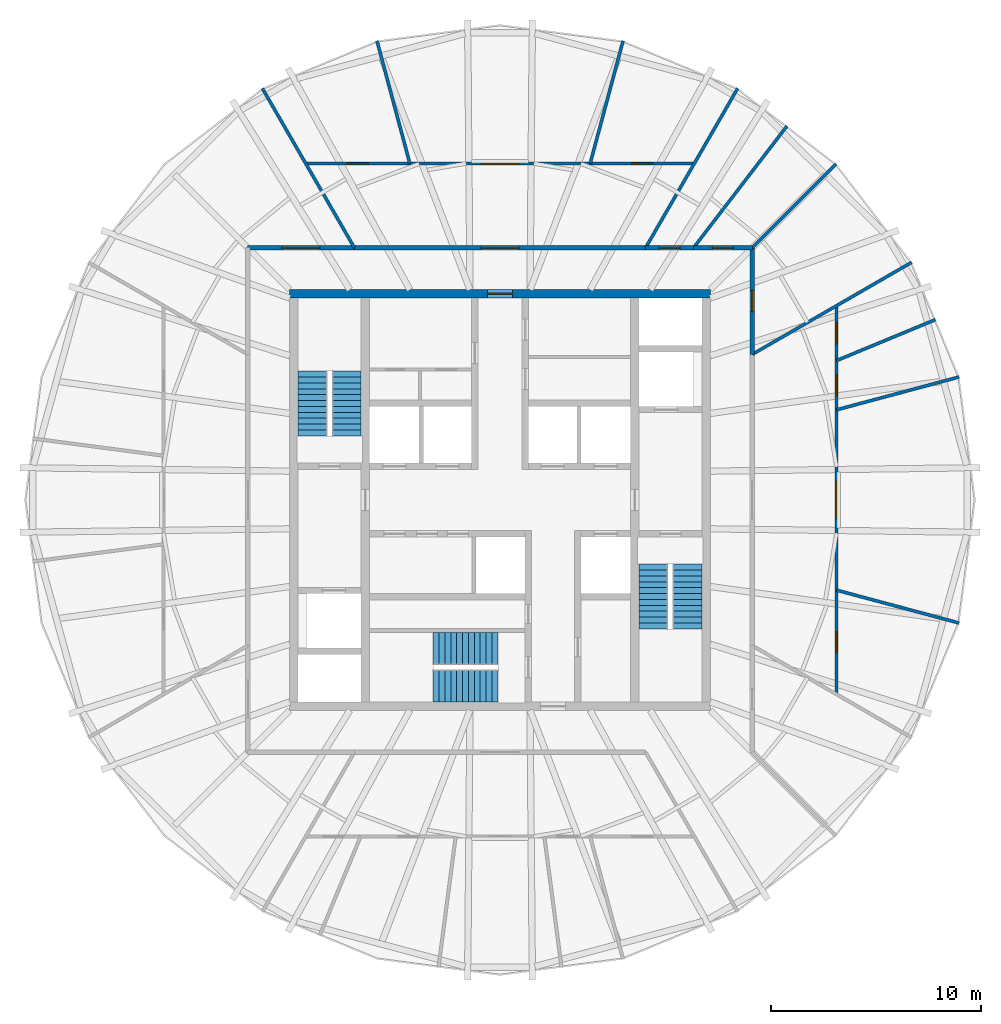
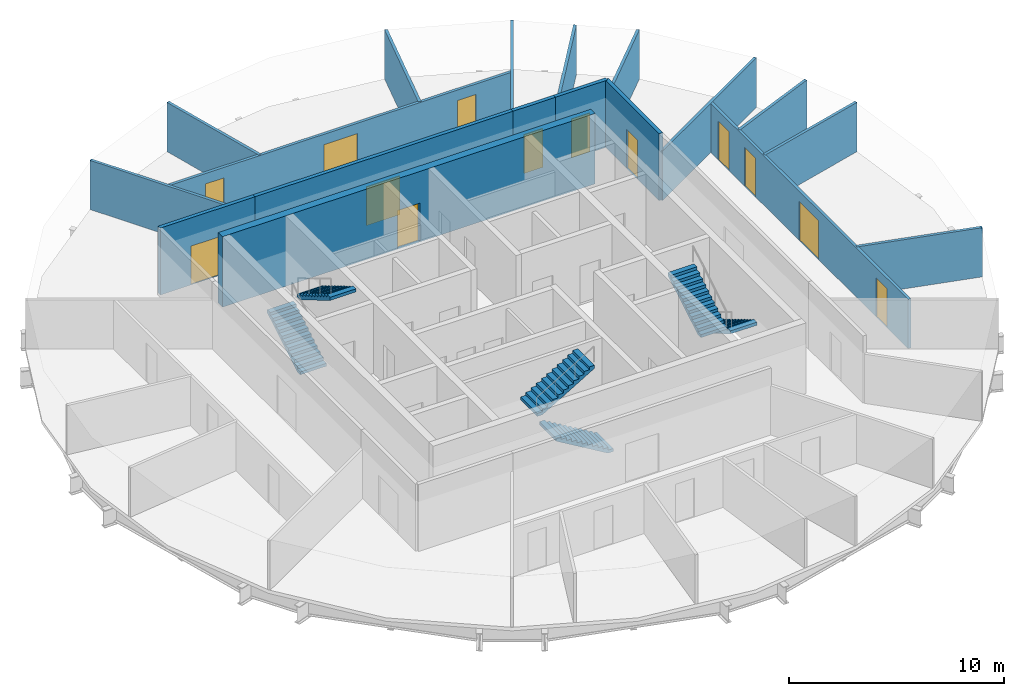
# One storey, part 5 of 6: 18 walls, 13 doors, 6 stair flights, 13 openings, 3 elements without a shape of their own.
"""IFC4 building model written with IfcOpenShell, lengths in metres."""

from ifc_helpers import new_model, si_unit, direction, frame, frame_2d, origin, place, context, subcontext, project, spatial, polyline, rectangle, outline, extrude, material, layer, layer_set, type_object, element, fill, aggregate, save


model = new_model("IFC4")

# Units and contexts
model_context = context("Model", 3, precision=1e-05, world=origin(), true_north=direction((0.0, 1.0)))
body_context = subcontext(model_context, "Body", "Model", "MODEL_VIEW")
ifc_project = project(units=[si_unit("LENGTHUNIT", "METRE"), si_unit("AREAUNIT", "SQUARE_METRE"), si_unit("VOLUMEUNIT", "CUBIC_METRE"), si_unit("PLANEANGLEUNIT", "RADIAN"), si_unit("MASSUNIT", "GRAM", prefix="KILO")], contexts=[model_context])

# Site, building, storey
site_placement = place(None, origin())
site = spatial("IfcSite", under=ifc_project, at=site_placement, CompositionType="ELEMENT")
building_placement = place(site_placement, origin())
building = spatial("IfcBuilding", under=site, at=building_placement, Name="Golbaran Civic Tower", CompositionType="ELEMENT")
storey_placement = place(building_placement, frame((0.0, 0.0, 244.0)))
storey = spatial("IfcBuildingStorey", under=building, at=storey_placement, Name="L59", CompositionType="ELEMENT", Elevation=244.0)

# Wall, opening, door
ifc_material_1 = material(Name="Concrete C50/60", Category="concrete")
ifc_layer_1 = layer(ifc_material_1, 0.39990234375, Name="Concrete C50/60")
ifc_layer_set_1 = layer_set([ifc_layer_1], Name="Concrete C50/60")
wall_type_1 = type_object("IfcWallType", Name="CORE WALL CONCRETE 400", PredefinedType="SOLIDWALL", material=ifc_layer_set_1)
wall_1_placement = place(storey_placement, frame((-10.0, 9.800048828125, 0.0), z_axis=(0.0, 0.0, 1.0), x_axis=(1.0, 0.0, 0.0)))
wall_1 = element("IfcWall", 1, at=wall_1_placement, inside=storey, type_object=wall_type_1, Name="Core wall CN L59", PredefinedType="SOLIDWALL", context=body_context, shape_type="SweptSolid", body=[
    extrude(rectangle(XDim=20.0, YDim=0.39990234375, at=frame_2d((10.0, 0.0))), origin(), (0.0, 0.0, 1.0), 4.0),
])
opening_1_placement = place(wall_1_placement, frame((9.39990234375, 0.0, 0.0)))
opening_1 = element("IfcOpeningElement", 2, at=opening_1_placement, cuts=wall_1, Name="Opening L59.CN", PredefinedType="OPENING", context=body_context, shape_type="SweptSolid", body=[
    extrude(rectangle(XDim=1.199951171875, YDim=2.199951171875, at=frame_2d((0.60009765625, 1.10009765625))), frame((0.0, 0.2099609375, 0.0), z_axis=(0.0, -1.0, 0.0), x_axis=(1.0, 0.0, 0.0)), (0.0, 0.0, 1.0), 0.419921875),
])
ifc_material_2 = material(Name="Timber door set in steel frame", Category="steel")
door_type_1 = type_object("IfcDoorType", Name="CORE DOOR 1200x2200", OperationType="DOUBLE_DOOR_SINGLE_SWING", PredefinedType="DOOR", material=ifc_material_2)
door_1_placement = place(opening_1_placement, origin())
door_1 = element("IfcDoor", 3, at=door_1_placement, inside=storey, type_object=door_type_1, Name="Core door north", OperationType="DOUBLE_DOOR_SINGLE_SWING", OverallHeight=2.199951171875, OverallWidth=1.199951171875, PredefinedType="DOOR", context=body_context, shape_type="SweptSolid", body=[
    extrude(rectangle(XDim=1.199951171875, YDim=2.199951171875, at=frame_2d((0.60009765625, 1.10009765625))), frame((0.0, 0.02490234375, 0.0), z_axis=(0.0, -1.0, 0.0), x_axis=(1.0, 0.0, 0.0)), (0.0, 0.0, 1.0), 0.050048828125),
])
fill(opening_1, door_1)

ifc_material_3 = material(Name="Gypsum board on steel studs, fire-rated", Category="steel")
ifc_layer_2 = layer(ifc_material_3, 0.199951171875, Name="Gypsum board on steel studs, fire-rated")
ifc_layer_set_2 = layer_set([ifc_layer_2], Name="Gypsum board on steel studs, fire-rated")
wall_type_2 = type_object("IfcWallType", Name="CORRIDOR WALL 200", PredefinedType="PARTITIONING", material=ifc_layer_set_2)
wall_2_placement = place(storey_placement, frame((12.0, 6.92822265625, 0.0), z_axis=(0.0, 0.0, 1.0), x_axis=(0.0, 1.0, 0.0)))
wall_2 = element("IfcWall", 4, at=wall_2_placement, inside=storey, type_object=wall_type_2, Name="Corridor wall L59", PredefinedType="PARTITIONING", context=body_context, shape_type="SweptSolid", body=[
    extrude(rectangle(XDim=5.07177734375, YDim=0.199951171875, at=frame_2d((2.535888671875, 0.0))), origin(), (0.0, 0.0, 1.0), 3.800048828125),
])
opening_2_placement = place(wall_2_placement, frame((2.035888671875, 0.0, 0.0)))
opening_2 = element("IfcOpeningElement", 5, at=opening_2_placement, cuts=wall_2, Name="Opening L59.17", PredefinedType="OPENING", context=body_context, shape_type="SweptSolid", body=[
    extrude(rectangle(XDim=1.0, YDim=2.199951171875, at=frame_2d((0.5, 1.10009765625))), frame((0.0, 0.10986328125, 0.0), z_axis=(0.0, -1.0, 0.0), x_axis=(1.0, 0.0, 0.0)), (0.0, 0.0, 1.0), 0.219970703125),
])
door_type_2 = type_object("IfcDoorType", Name="OFFICE DOOR 1000x2200", OperationType="SINGLE_SWING_LEFT", PredefinedType="DOOR", material=ifc_material_2)
door_2_placement = place(opening_2_placement, origin())
door_2 = element("IfcDoor", 6, at=door_2_placement, inside=storey, type_object=door_type_2, Name="Pantry door L59", OperationType="SINGLE_SWING_LEFT", OverallHeight=2.199951171875, OverallWidth=1.0, PredefinedType="DOOR", context=body_context, shape_type="SweptSolid", body=[
    extrude(rectangle(XDim=1.0, YDim=2.199951171875, at=frame_2d((0.5, 1.10009765625))), frame((0.0, 0.02490234375, 0.0), z_axis=(0.0, -1.0, 0.0), x_axis=(1.0, 0.0, 0.0)), (0.0, 0.0, 1.0), 0.050048828125),
])
fill(opening_2, door_2)

wall_3_placement = place(storey_placement, frame((12.0, 12.0, 0.0), z_axis=(0.0, 0.0, 1.0), x_axis=(-1.0, 0.0, 0.0)))
wall_3 = element("IfcWall", 7, at=wall_3_placement, inside=storey, type_object=wall_type_2, Name="Corridor wall L59", PredefinedType="PARTITIONING", context=body_context, shape_type="SweptSolid", body=[
    extrude(rectangle(XDim=2.7919921875, YDim=0.199951171875, at=frame_2d((1.39599609375, 0.0))), origin(), (0.0, 0.0, 1.0), 3.800048828125),
])
opening_3_placement = place(wall_3_placement, frame((0.89599609375, 0.0, 0.0)))
opening_3 = element("IfcOpeningElement", 8, at=opening_3_placement, cuts=wall_3, Name="Opening L59.18", PredefinedType="OPENING", context=body_context, shape_type="SweptSolid", body=[
    extrude(rectangle(XDim=1.0, YDim=2.199951171875, at=frame_2d((0.5, 1.10009765625))), frame((0.0, 0.10986328125, 0.0), z_axis=(0.0, -1.0, 0.0), x_axis=(1.0, 0.0, 0.0)), (0.0, 0.0, 1.0), 0.219970703125),
])
door_3_placement = place(opening_3_placement, origin())
door_3 = element("IfcDoor", 9, at=door_3_placement, inside=storey, type_object=door_type_2, Name="Prayer Room door L59", OperationType="SINGLE_SWING_RIGHT", OverallHeight=2.199951171875, OverallWidth=1.0, PredefinedType="DOOR", context=body_context, shape_type="SweptSolid", body=[
    extrude(rectangle(XDim=1.0, YDim=2.199951171875, at=frame_2d((0.5, 1.10009765625))), frame((0.0, 0.02490234375, 0.0), z_axis=(0.0, -1.0, 0.0), x_axis=(1.0, 0.0, 0.0)), (0.0, 0.0, 1.0), 0.050048828125),
])
fill(opening_3, door_3)

wall_4_placement = place(storey_placement, frame((9.2080078125, 12.0, 0.0), z_axis=(0.0, 0.0, 1.0), x_axis=(-1.0, 0.0, 0.0)))
wall_4 = element("IfcWall", 10, at=wall_4_placement, inside=storey, type_object=wall_type_2, Name="Corridor wall L59", PredefinedType="PARTITIONING", context=body_context, shape_type="SweptSolid", body=[
    extrude(rectangle(XDim=2.27978515625, YDim=0.199951171875, at=frame_2d((1.139892578125, 0.0))), origin(), (0.0, 0.0, 1.0), 3.800048828125),
])
opening_4_placement = place(wall_4_placement, frame((0.639892578125, 0.0, 0.0)))
opening_4 = element("IfcOpeningElement", 11, at=opening_4_placement, cuts=wall_4, Name="Opening L59.19", PredefinedType="OPENING", context=body_context, shape_type="SweptSolid", body=[
    extrude(rectangle(XDim=1.0, YDim=2.199951171875, at=frame_2d((0.5, 1.10009765625))), frame((0.0, 0.10986328125, 0.0), z_axis=(0.0, -1.0, 0.0), x_axis=(1.0, 0.0, 0.0)), (0.0, 0.0, 1.0), 0.219970703125),
])
door_4_placement = place(opening_4_placement, origin())
door_4 = element("IfcDoor", 12, at=door_4_placement, inside=storey, type_object=door_type_2, Name="Store door L59", OperationType="SINGLE_SWING_RIGHT", OverallHeight=2.199951171875, OverallWidth=1.0, PredefinedType="DOOR", context=body_context, shape_type="SweptSolid", body=[
    extrude(rectangle(XDim=1.0, YDim=2.199951171875, at=frame_2d((0.5, 1.10009765625))), frame((0.0, 0.02490234375, 0.0), z_axis=(0.0, -1.0, 0.0), x_axis=(1.0, 0.0, 0.0)), (0.0, 0.0, 1.0), 0.050048828125),
])
fill(opening_4, door_4)

wall_5_placement = place(storey_placement, frame((6.92822265625, 12.0, 0.0), z_axis=(0.0, 0.0, 1.0), x_axis=(-1.0, 0.0, 0.0)))
wall_5 = element("IfcWall", 13, at=wall_5_placement, inside=storey, type_object=wall_type_2, Name="Corridor wall L59", PredefinedType="PARTITIONING", context=body_context, shape_type="SweptSolid", body=[
    extrude(rectangle(XDim=13.8564453125, YDim=0.199951171875, at=frame_2d((6.92822265625, 0.0))), origin(), (0.0, 0.0, 1.0), 3.800048828125),
])
opening_5_placement = place(wall_5_placement, frame((6.0283203125, 0.0, 0.0)))
opening_5 = element("IfcOpeningElement", 14, at=opening_5_placement, cuts=wall_5, Name="Opening L59.20", PredefinedType="OPENING", context=body_context, shape_type="SweptSolid", body=[
    extrude(rectangle(XDim=1.800048828125, YDim=2.199951171875, at=frame_2d((0.89990234375, 1.10009765625))), frame((0.0, 0.10986328125, 0.0), z_axis=(0.0, -1.0, 0.0), x_axis=(1.0, 0.0, 0.0)), (0.0, 0.0, 1.0), 0.219970703125),
])
door_type_3 = type_object("IfcDoorType", Name="OFFICE DOUBLE DOOR 1800x2200", OperationType="DOUBLE_DOOR_SINGLE_SWING", PredefinedType="DOOR", material=ifc_material_2)
door_5_placement = place(opening_5_placement, origin())
door_5 = element("IfcDoor", 15, at=door_5_placement, inside=storey, type_object=door_type_3, Name="Reception door L59", OperationType="DOUBLE_DOOR_SINGLE_SWING", OverallHeight=2.199951171875, OverallWidth=1.800048828125, PredefinedType="DOOR", context=body_context, shape_type="SweptSolid", body=[
    extrude(rectangle(XDim=1.800048828125, YDim=2.199951171875, at=frame_2d((0.89990234375, 1.10009765625))), frame((0.0, 0.02490234375, 0.0), z_axis=(0.0, -1.0, 0.0), x_axis=(1.0, 0.0, 0.0)), (0.0, 0.0, 1.0), 0.050048828125),
])
fill(opening_5, door_5)

wall_6_placement = place(storey_placement, frame((-6.92822265625, 12.0, 0.0), z_axis=(0.0, 0.0, 1.0), x_axis=(-1.0, 0.0, 0.0)))
wall_6 = element("IfcWall", 16, at=wall_6_placement, inside=storey, type_object=wall_type_2, Name="Corridor wall L59", PredefinedType="PARTITIONING", context=body_context, shape_type="SweptSolid", body=[
    extrude(rectangle(XDim=5.07177734375, YDim=0.199951171875, at=frame_2d((2.535888671875, 0.0))), origin(), (0.0, 0.0, 1.0), 3.800048828125),
])
opening_6_placement = place(wall_6_placement, frame((1.635986328125, 0.0, 0.0)))
opening_6 = element("IfcOpeningElement", 17, at=opening_6_placement, cuts=wall_6, Name="Opening L59.21", PredefinedType="OPENING", context=body_context, shape_type="SweptSolid", body=[
    extrude(rectangle(XDim=1.800048828125, YDim=2.199951171875, at=frame_2d((0.89990234375, 1.10009765625))), frame((0.0, 0.10986328125, 0.0), z_axis=(0.0, -1.0, 0.0), x_axis=(1.0, 0.0, 0.0)), (0.0, 0.0, 1.0), 0.219970703125),
])
door_6_placement = place(opening_6_placement, origin())
door_6 = element("IfcDoor", 18, at=door_6_placement, inside=storey, type_object=door_type_3, Name="Open Office door L59", OperationType="DOUBLE_DOOR_SINGLE_SWING", OverallHeight=2.199951171875, OverallWidth=1.800048828125, PredefinedType="DOOR", context=body_context, shape_type="SweptSolid", body=[
    extrude(rectangle(XDim=1.800048828125, YDim=2.199951171875, at=frame_2d((0.89990234375, 1.10009765625))), frame((0.0, 0.02490234375, 0.0), z_axis=(0.0, -1.0, 0.0), x_axis=(1.0, 0.0, 0.0)), (0.0, 0.0, 1.0), 0.050048828125),
])
fill(opening_6, door_6)

# Walls
ifc_material_4 = material(Name="Gypsum board on steel studs", Category="steel")
ifc_layer_3 = layer(ifc_material_4, 0.14990234375, Name="Gypsum board on steel studs")
ifc_layer_set_3 = layer_set([ifc_layer_3], Name="Gypsum board on steel studs")
wall_type_3 = type_object("IfcWallType", Name="OFFICE PARTITION 150", PredefinedType="PARTITIONING", material=ifc_layer_set_3)
wall_7_placement = place(storey_placement, frame((12.0, 6.92822265625, 0.0), z_axis=(0.0, 0.0, 1.0), x_axis=(0.866020224182, 0.500008971228, 0.0)))
element("IfcWall", 19, at=wall_7_placement, inside=storey, type_object=wall_type_3, Name="Partition 30 L59", PredefinedType="PARTITIONING", context=body_context, shape_type="SweptSolid", body=[
    extrude(rectangle(XDim=8.752685546875, YDim=0.14990234375, at=frame_2d((4.37646484375, 0.0))), origin(), (0.0, 0.0, 1.0), 2.7900390625),
])
wall_8_placement = place(storey_placement, frame((12.0, 12.0, 0.0), z_axis=(0.0, 0.0, 1.0), x_axis=(0.707106781187, 0.707106781187, 0.0)))
element("IfcWall", 20, at=wall_8_placement, inside=storey, type_object=wall_type_3, Name="Partition 45 L59", PredefinedType="PARTITIONING", context=body_context, shape_type="SweptSolid", body=[
    extrude(rectangle(XDim=5.638671875, YDim=0.14990234375, at=frame_2d((2.8193359375, 0.0))), origin(), (0.0, 0.0, 1.0), 2.7900390625),
])
wall_9_placement = place(storey_placement, frame((9.2080078125, 12.0, 0.0), z_axis=(0.0, 0.0, 1.0), x_axis=(0.608740848729, 0.793369131671, 0.0)))
element("IfcWall", 21, at=wall_9_placement, inside=storey, type_object=wall_type_3, Name="Partition 52.5 L59", PredefinedType="PARTITIONING", context=body_context, shape_type="SweptSolid", body=[
    extrude(rectangle(XDim=7.2900390625, YDim=0.14990234375, at=frame_2d((3.64501953125, 0.0))), origin(), (0.0, 0.0, 1.0), 2.7900390625),
])
for number, where, z_axis, x_axis, name in (
    (22, (6.92822265625, 12.0, 0.0), (0.0, 0.0, 1.0), (0.500008971228, 0.866020224182, 0.0), "Partition 60 L59"),
    (23, (-6.92822265625, 12.0, 0.0), (0.0, 0.0, 1.0), (-0.500008971228, 0.866020224182, 0.0), "Partition 120 L59"),
):
    element("IfcWall", number, at=place(storey_placement, frame(where, z_axis=z_axis, x_axis=x_axis)), inside=storey, type_object=wall_type_3, Name=name, PredefinedType="PARTITIONING", context=body_context, shape_type="SweptSolid", body=[
        extrude(rectangle(XDim=8.752685546875, YDim=0.14990234375, at=frame_2d((4.37646484375, 0.0))), origin(), (0.0, 0.0, 1.0), 2.7900390625),
    ])

# Wall, openings, doors
wall_10_placement = place(storey_placement, frame((16.0, -9.237548828125, 0.0), z_axis=(0.0, 0.0, 1.0), x_axis=(0.0, 1.0, 0.0)))
wall_10 = element("IfcWall", 24, at=wall_10_placement, inside=storey, type_object=wall_type_3, Name="Suite partition L59", PredefinedType="PARTITIONING", context=body_context, shape_type="SweptSolid", body=[
    extrude(rectangle(XDim=18.47509765625, YDim=0.14990234375, at=frame_2d((9.237548828125, 0.0))), origin(), (0.0, 0.0, 1.0), 2.7900390625),
])
opening_7_placement = place(wall_10_placement, frame((1.97509765625, 0.0, 0.0)))
opening_7 = element("IfcOpeningElement", 25, at=opening_7_placement, cuts=wall_10, Name="Opening L59.01", PredefinedType="OPENING", context=body_context, shape_type="SweptSolid", body=[
    extrude(rectangle(XDim=1.0, YDim=2.199951171875, at=frame_2d((0.5, 1.10009765625))), frame((0.0, 0.0849609375, 0.0), z_axis=(0.0, -1.0, 0.0), x_axis=(1.0, 0.0, 0.0)), (0.0, 0.0, 1.0), 0.169921875),
])
opening_8_placement = place(wall_10_placement, frame((8.337646484375, 0.0, 0.0)))
opening_8 = element("IfcOpeningElement", 26, at=opening_8_placement, cuts=wall_10, Name="Opening L59.02", PredefinedType="OPENING", context=body_context, shape_type="SweptSolid", body=[
    extrude(rectangle(XDim=1.800048828125, YDim=2.199951171875, at=frame_2d((0.89990234375, 1.10009765625))), frame((0.0, 0.0849609375, 0.0), z_axis=(0.0, -1.0, 0.0), x_axis=(1.0, 0.0, 0.0)), (0.0, 0.0, 1.0), 0.169921875),
])
opening_9_placement = place(wall_10_placement, frame((14.19482421875, 0.0, 0.0)))
opening_9 = element("IfcOpeningElement", 27, at=opening_9_placement, cuts=wall_10, Name="Opening L59.03", PredefinedType="OPENING", context=body_context, shape_type="SweptSolid", body=[
    extrude(rectangle(XDim=1.0, YDim=2.199951171875, at=frame_2d((0.5, 1.10009765625))), frame((0.0, 0.0849609375, 0.0), z_axis=(0.0, -1.0, 0.0), x_axis=(1.0, 0.0, 0.0)), (0.0, 0.0, 1.0), 0.169921875),
])
opening_10_placement = place(wall_10_placement, frame((16.670166015625, 0.0, 0.0)))
opening_10 = element("IfcOpeningElement", 28, at=opening_10_placement, cuts=wall_10, Name="Opening L59.04", PredefinedType="OPENING", context=body_context, shape_type="SweptSolid", body=[
    extrude(rectangle(XDim=1.0, YDim=2.199951171875, at=frame_2d((0.5, 1.10009765625))), frame((0.0, 0.0849609375, 0.0), z_axis=(0.0, -1.0, 0.0), x_axis=(1.0, 0.0, 0.0)), (0.0, 0.0, 1.0), 0.169921875),
])
door_7_placement = place(opening_7_placement, origin())
door_7 = element("IfcDoor", 29, at=door_7_placement, inside=storey, type_object=door_type_2, Name="Director's Office door L59", OperationType="SINGLE_SWING_LEFT", OverallHeight=2.199951171875, OverallWidth=1.0, PredefinedType="DOOR", context=body_context, shape_type="SweptSolid", body=[
    extrude(rectangle(XDim=1.0, YDim=2.199951171875, at=frame_2d((0.5, 1.10009765625))), frame((0.0, 0.02490234375, 0.0), z_axis=(0.0, -1.0, 0.0), x_axis=(1.0, 0.0, 0.0)), (0.0, 0.0, 1.0), 0.050048828125),
])
fill(opening_7, door_7)
door_8_placement = place(opening_9_placement, origin())
door_8 = element("IfcDoor", 30, at=door_8_placement, inside=storey, type_object=door_type_2, Name="Office door L59", OperationType="SINGLE_SWING_RIGHT", OverallHeight=2.199951171875, OverallWidth=1.0, PredefinedType="DOOR", context=body_context, shape_type="SweptSolid", body=[
    extrude(rectangle(XDim=1.0, YDim=2.199951171875, at=frame_2d((0.5, 1.10009765625))), frame((0.0, 0.02490234375, 0.0), z_axis=(0.0, -1.0, 0.0), x_axis=(1.0, 0.0, 0.0)), (0.0, 0.0, 1.0), 0.050048828125),
])
fill(opening_9, door_8)
door_9_placement = place(opening_10_placement, origin())
door_9 = element("IfcDoor", 31, at=door_9_placement, inside=storey, type_object=door_type_2, Name="Office door L59", OperationType="SINGLE_SWING_RIGHT", OverallHeight=2.199951171875, OverallWidth=1.0, PredefinedType="DOOR", context=body_context, shape_type="SweptSolid", body=[
    extrude(rectangle(XDim=1.0, YDim=2.199951171875, at=frame_2d((0.5, 1.10009765625))), frame((0.0, 0.02490234375, 0.0), z_axis=(0.0, -1.0, 0.0), x_axis=(1.0, 0.0, 0.0)), (0.0, 0.0, 1.0), 0.050048828125),
])
fill(opening_10, door_9)
door_10_placement = place(opening_8_placement, origin())
door_10 = element("IfcDoor", 32, at=door_10_placement, inside=storey, type_object=door_type_3, Name="Director's Office door L59", OperationType="DOUBLE_DOOR_SINGLE_SWING", OverallHeight=2.199951171875, OverallWidth=1.800048828125, PredefinedType="DOOR", context=body_context, shape_type="SweptSolid", body=[
    extrude(rectangle(XDim=1.800048828125, YDim=2.199951171875, at=frame_2d((0.89990234375, 1.10009765625))), frame((0.0, 0.02490234375, 0.0), z_axis=(0.0, -1.0, 0.0), x_axis=(1.0, 0.0, 0.0)), (0.0, 0.0, 1.0), 0.050048828125),
])
fill(opening_8, door_10)

# Walls
for number, where, z_axis, x_axis, name in (
    (33, (16.0, -4.287109375, 0.0), (0.0, 0.0, 1.0), (0.965918484239, -0.258846444451, 0.0), "Partition 345 L59"),
    (34, (16.0, 4.287109375, 0.0), (0.0, 0.0, 1.0), (0.965918484239, 0.258846444451, 0.0), "Partition 15 L59"),
):
    element("IfcWall", number, at=place(storey_placement, frame(where, z_axis=z_axis, x_axis=x_axis)), inside=storey, type_object=wall_type_3, Name=name, PredefinedType="PARTITIONING", context=body_context, shape_type="SweptSolid", body=[
        extrude(rectangle(XDim=6.044921875, YDim=0.14990234375, at=frame_2d((3.0224609375, 0.0))), origin(), (0.0, 0.0, 1.0), 2.7900390625),
    ])
wall_11_placement = place(storey_placement, frame((16.0, 6.62744140625, 0.0), z_axis=(0.0, 0.0, 1.0), x_axis=(0.923882573996, 0.382676089488, 0.0)))
element("IfcWall", 35, at=wall_11_placement, inside=storey, type_object=wall_type_3, Name="Partition 22.5 L59", PredefinedType="PARTITIONING", context=body_context, shape_type="SweptSolid", body=[
    extrude(rectangle(XDim=5.097412109375, YDim=0.14990234375, at=frame_2d((2.548828125, 0.0))), origin(), (0.0, 0.0, 1.0), 2.7900390625),
])

# Wall, openings, doors
wall_12_placement = place(storey_placement, frame((9.237548828125, 16.0, 0.0), z_axis=(0.0, 0.0, 1.0), x_axis=(-1.0, 0.0, 0.0)))
wall_12 = element("IfcWall", 36, at=wall_12_placement, inside=storey, type_object=wall_type_3, Name="Suite partition L59", PredefinedType="PARTITIONING", context=body_context, shape_type="SweptSolid", body=[
    extrude(rectangle(XDim=18.47509765625, YDim=0.14990234375, at=frame_2d((9.237548828125, 0.0))), origin(), (0.0, 0.0, 1.0), 2.7900390625),
])
opening_11_placement = place(wall_12_placement, frame((1.97509765625, 0.0, 0.0)))
opening_11 = element("IfcOpeningElement", 37, at=opening_11_placement, cuts=wall_12, Name="Opening L59.05", PredefinedType="OPENING", context=body_context, shape_type="SweptSolid", body=[
    extrude(rectangle(XDim=1.0, YDim=2.199951171875, at=frame_2d((0.5, 1.10009765625))), frame((0.0, 0.0849609375, 0.0), z_axis=(0.0, -1.0, 0.0), x_axis=(1.0, 0.0, 0.0)), (0.0, 0.0, 1.0), 0.169921875),
])
opening_12_placement = place(wall_12_placement, frame((8.337646484375, 0.0, 0.0)))
opening_12 = element("IfcOpeningElement", 38, at=opening_12_placement, cuts=wall_12, Name="Opening L59.06", PredefinedType="OPENING", context=body_context, shape_type="SweptSolid", body=[
    extrude(rectangle(XDim=1.800048828125, YDim=2.199951171875, at=frame_2d((0.89990234375, 1.10009765625))), frame((0.0, 0.0849609375, 0.0), z_axis=(0.0, -1.0, 0.0), x_axis=(1.0, 0.0, 0.0)), (0.0, 0.0, 1.0), 0.169921875),
])
opening_13_placement = place(wall_12_placement, frame((15.5, 0.0, 0.0)))
opening_13 = element("IfcOpeningElement", 39, at=opening_13_placement, cuts=wall_12, Name="Opening L59.07", PredefinedType="OPENING", context=body_context, shape_type="SweptSolid", body=[
    extrude(rectangle(XDim=1.0, YDim=2.199951171875, at=frame_2d((0.5, 1.10009765625))), frame((0.0, 0.0849609375, 0.0), z_axis=(0.0, -1.0, 0.0), x_axis=(1.0, 0.0, 0.0)), (0.0, 0.0, 1.0), 0.169921875),
])
door_11_placement = place(opening_11_placement, origin())
door_11 = element("IfcDoor", 40, at=door_11_placement, inside=storey, type_object=door_type_2, Name="Deputy Minister's Office door L59", OperationType="SINGLE_SWING_LEFT", OverallHeight=2.199951171875, OverallWidth=1.0, PredefinedType="DOOR", context=body_context, shape_type="SweptSolid", body=[
    extrude(rectangle(XDim=1.0, YDim=2.199951171875, at=frame_2d((0.5, 1.10009765625))), frame((0.0, 0.02490234375, 0.0), z_axis=(0.0, -1.0, 0.0), x_axis=(1.0, 0.0, 0.0)), (0.0, 0.0, 1.0), 0.050048828125),
])
fill(opening_11, door_11)
door_12_placement = place(opening_13_placement, origin())
door_12 = element("IfcDoor", 41, at=door_12_placement, inside=storey, type_object=door_type_2, Name="Private Meeting Room door L59", OperationType="SINGLE_SWING_RIGHT", OverallHeight=2.199951171875, OverallWidth=1.0, PredefinedType="DOOR", context=body_context, shape_type="SweptSolid", body=[
    extrude(rectangle(XDim=1.0, YDim=2.199951171875, at=frame_2d((0.5, 1.10009765625))), frame((0.0, 0.02490234375, 0.0), z_axis=(0.0, -1.0, 0.0), x_axis=(1.0, 0.0, 0.0)), (0.0, 0.0, 1.0), 0.050048828125),
])
fill(opening_13, door_12)
door_13_placement = place(opening_12_placement, origin())
door_13 = element("IfcDoor", 42, at=door_13_placement, inside=storey, type_object=door_type_3, Name="Private Meeting Room door L59", OperationType="DOUBLE_DOOR_SINGLE_SWING", OverallHeight=2.199951171875, OverallWidth=1.800048828125, PredefinedType="DOOR", context=body_context, shape_type="SweptSolid", body=[
    extrude(rectangle(XDim=1.800048828125, YDim=2.199951171875, at=frame_2d((0.89990234375, 1.10009765625))), frame((0.0, 0.02490234375, 0.0), z_axis=(0.0, -1.0, 0.0), x_axis=(1.0, 0.0, 0.0)), (0.0, 0.0, 1.0), 0.050048828125),
])
fill(opening_12, door_13)

# Walls
for number, where, z_axis, x_axis, name in (
    (43, (4.287109375, 16.0, 0.0), (0.0, 0.0, 1.0), (0.258846444451, 0.965918484239, 0.0), "Partition 75 L59"),
    (44, (-4.287109375, 16.0, 0.0), (0.0, 0.0, 1.0), (-0.258846444451, 0.965918484239, 0.0), "Partition 105 L59"),
):
    element("IfcWall", number, at=place(storey_placement, frame(where, z_axis=z_axis, x_axis=x_axis)), inside=storey, type_object=wall_type_3, Name=name, PredefinedType="PARTITIONING", context=body_context, shape_type="SweptSolid", body=[
        extrude(rectangle(XDim=6.044921875, YDim=0.14990234375, at=frame_2d((3.0224609375, 0.0))), origin(), (0.0, 0.0, 1.0), 2.7900390625),
    ])

# Stair, stair flights
ifc_material_5 = material(Name="Concrete C35/45", Category="concrete")
stair_type_1 = type_object("IfcStairType", Name="EXIT STAIR 3000 x 7850, 4000 RISE", PredefinedType="HALF_TURN_STAIR", material=ifc_material_5)
stair_1_placement = place(storey_placement, origin())
stair_1 = element("IfcStair", 45, at=stair_1_placement, inside=storey, type_object=stair_type_1, Name="Stair S1 L59", PredefinedType="HALF_TURN_STAIR")
stair_flight_type_1 = type_object("IfcStairFlightType", Name="STAIR FLIGHT 1400 WIDE", PredefinedType="STRAIGHT", material=ifc_material_5)
stair_flight_1_placement = place(storey_placement, frame((-8.89990234375, 3.050048828125, 0.0), z_axis=(0.0, 0.0, 1.0), x_axis=(0.0, 1.0, 0.0)))
stair_flight_1 = element("IfcStairFlight", 46, at=stair_flight_1_placement, type_object=stair_flight_type_1, Name="ST30078-40 flight 1", NumberOfRisers=12, NumberOfTreads=11, PredefinedType="STRAIGHT", RiserHeight=0.166666667, TreadLength=0.28, context=body_context, shape_type="SweptSolid", body=[
    extrude(outline(polyline([(0.0, 0.0), (0.0, 0.166748046875), (0.280029296875, 0.166748046875), (0.280029296875, 0.333251953125), (0.56005859375, 0.333251953125), (0.56005859375, 0.5), (0.840087890625, 0.5), (0.840087890625, 0.666748046875), (1.1201171875, 0.666748046875), (1.1201171875, 0.833251953125), (1.39990234375, 0.833251953125), (1.39990234375, 1.0), (1.679931640625, 1.0), (1.679931640625, 1.166748046875), (1.9599609375, 1.166748046875), (1.9599609375, 1.333251953125), (2.239990234375, 1.333251953125), (2.239990234375, 1.5), (2.52001953125, 1.5), (2.52001953125, 1.666748046875), (2.800048828125, 1.666748046875), (2.800048828125, 1.833251953125), (3.080078125, 1.833251953125), (3.080078125, 2.0), (3.080078125, 1.658935546875), (0.29296875, 0.0), (0.0, 0.0)])), frame((0.0, 0.699951171875, 0.0), z_axis=(0.0, -1.0, 0.0), x_axis=(1.0, 0.0, 0.0)), (0.0, 0.0, 1.0), 1.39990234375),
])
stair_flight_2_placement = place(storey_placement, frame((-7.300048828125, 6.1298828125, 2.0), z_axis=(0.0, 0.0, 1.0), x_axis=(0.0, -1.0, 0.0)))
stair_flight_2 = element("IfcStairFlight", 47, at=stair_flight_2_placement, type_object=stair_flight_type_1, Name="ST30078-40 flight 2", NumberOfRisers=12, NumberOfTreads=11, PredefinedType="STRAIGHT", RiserHeight=0.166666667, TreadLength=0.28, context=body_context, shape_type="SweptSolid", body=[
    extrude(outline(polyline([(0.0, 0.0), (0.0, 0.166748046875), (0.280029296875, 0.166748046875), (0.280029296875, 0.333251953125), (0.56005859375, 0.333251953125), (0.56005859375, 0.5), (0.840087890625, 0.5), (0.840087890625, 0.666748046875), (1.1201171875, 0.666748046875), (1.1201171875, 0.833251953125), (1.39990234375, 0.833251953125), (1.39990234375, 1.0), (1.679931640625, 1.0), (1.679931640625, 1.166748046875), (1.9599609375, 1.166748046875), (1.9599609375, 1.333251953125), (2.239990234375, 1.333251953125), (2.239990234375, 1.5), (2.52001953125, 1.5), (2.52001953125, 1.666748046875), (2.800048828125, 1.666748046875), (2.800048828125, 1.833251953125), (3.080078125, 1.833251953125), (3.080078125, 2.0), (3.080078125, 1.658935546875), (0.29296875, 0.0), (0.0, 0.0)])), frame((0.0, 0.699951171875, 0.0), z_axis=(0.0, -1.0, 0.0), x_axis=(1.0, 0.0, 0.0)), (0.0, 0.0, 1.0), 1.39990234375),
])
aggregate(stair_1, [stair_flight_1, stair_flight_2])

stair_2_placement = place(storey_placement, origin())
stair_2 = element("IfcStair", 48, at=stair_2_placement, inside=storey, type_object=stair_type_1, Name="Stair S2 L59", PredefinedType="HALF_TURN_STAIR")
stair_flight_3_placement = place(storey_placement, frame((8.89990234375, -3.050048828125, 0.0), z_axis=(0.0, 0.0, 1.0), x_axis=(0.0, -1.0, 0.0)))
stair_flight_3 = element("IfcStairFlight", 49, at=stair_flight_3_placement, type_object=stair_flight_type_1, Name="ST30078-40 flight 1", NumberOfRisers=12, NumberOfTreads=11, PredefinedType="STRAIGHT", RiserHeight=0.166666667, TreadLength=0.28, context=body_context, shape_type="SweptSolid", body=[
    extrude(outline(polyline([(0.0, 0.0), (0.0, 0.166748046875), (0.280029296875, 0.166748046875), (0.280029296875, 0.333251953125), (0.56005859375, 0.333251953125), (0.56005859375, 0.5), (0.840087890625, 0.5), (0.840087890625, 0.666748046875), (1.1201171875, 0.666748046875), (1.1201171875, 0.833251953125), (1.39990234375, 0.833251953125), (1.39990234375, 1.0), (1.679931640625, 1.0), (1.679931640625, 1.166748046875), (1.9599609375, 1.166748046875), (1.9599609375, 1.333251953125), (2.239990234375, 1.333251953125), (2.239990234375, 1.5), (2.52001953125, 1.5), (2.52001953125, 1.666748046875), (2.800048828125, 1.666748046875), (2.800048828125, 1.833251953125), (3.080078125, 1.833251953125), (3.080078125, 2.0), (3.080078125, 1.658935546875), (0.29296875, 0.0), (0.0, 0.0)])), frame((0.0, 0.699951171875, 0.0), z_axis=(0.0, -1.0, 0.0), x_axis=(1.0, 0.0, 0.0)), (0.0, 0.0, 1.0), 1.39990234375),
])
stair_flight_4_placement = place(storey_placement, frame((7.300048828125, -6.1298828125, 2.0), z_axis=(0.0, 0.0, 1.0), x_axis=(0.0, 1.0, 0.0)))
stair_flight_4 = element("IfcStairFlight", 50, at=stair_flight_4_placement, type_object=stair_flight_type_1, Name="ST30078-40 flight 2", NumberOfRisers=12, NumberOfTreads=11, PredefinedType="STRAIGHT", RiserHeight=0.166666667, TreadLength=0.28, context=body_context, shape_type="SweptSolid", body=[
    extrude(outline(polyline([(0.0, 0.0), (0.0, 0.166748046875), (0.280029296875, 0.166748046875), (0.280029296875, 0.333251953125), (0.56005859375, 0.333251953125), (0.56005859375, 0.5), (0.840087890625, 0.5), (0.840087890625, 0.666748046875), (1.1201171875, 0.666748046875), (1.1201171875, 0.833251953125), (1.39990234375, 0.833251953125), (1.39990234375, 1.0), (1.679931640625, 1.0), (1.679931640625, 1.166748046875), (1.9599609375, 1.166748046875), (1.9599609375, 1.333251953125), (2.239990234375, 1.333251953125), (2.239990234375, 1.5), (2.52001953125, 1.5), (2.52001953125, 1.666748046875), (2.800048828125, 1.666748046875), (2.800048828125, 1.833251953125), (3.080078125, 1.833251953125), (3.080078125, 2.0), (3.080078125, 1.658935546875), (0.29296875, 0.0), (0.0, 0.0)])), frame((0.0, 0.699951171875, 0.0), z_axis=(0.0, -1.0, 0.0), x_axis=(1.0, 0.0, 0.0)), (0.0, 0.0, 1.0), 1.39990234375),
])
aggregate(stair_2, [stair_flight_3, stair_flight_4])

stair_type_2 = type_object("IfcStairType", Name="EXIT STAIR 3300 x 7400, 4000 RISE", PredefinedType="HALF_TURN_STAIR", material=ifc_material_5)
stair_3_placement = place(storey_placement, origin())
stair_3 = element("IfcStair", 51, at=stair_3_placement, inside=storey, type_object=stair_type_2, Name="Stair S3 L59", PredefinedType="HALF_TURN_STAIR")
stair_flight_type_2 = type_object("IfcStairFlightType", Name="STAIR FLIGHT 1550 WIDE", PredefinedType="STRAIGHT", material=ifc_material_5)
stair_flight_5_placement = place(storey_placement, frame((-0.10009765625, -8.824951171875, 0.0), z_axis=(0.0, 0.0, 1.0), x_axis=(-1.0, 0.0, 0.0)))
stair_flight_5 = element("IfcStairFlight", 52, at=stair_flight_5_placement, type_object=stair_flight_type_2, Name="ST33074-40 flight 1", NumberOfRisers=12, NumberOfTreads=11, PredefinedType="STRAIGHT", RiserHeight=0.166666667, TreadLength=0.28, context=body_context, shape_type="SweptSolid", body=[
    extrude(outline(polyline([(0.0, 0.0), (0.0, 0.166748046875), (0.280029296875, 0.166748046875), (0.280029296875, 0.333251953125), (0.56005859375, 0.333251953125), (0.56005859375, 0.5), (0.840087890625, 0.5), (0.840087890625, 0.666748046875), (1.1201171875, 0.666748046875), (1.1201171875, 0.833251953125), (1.39990234375, 0.833251953125), (1.39990234375, 1.0), (1.679931640625, 1.0), (1.679931640625, 1.166748046875), (1.9599609375, 1.166748046875), (1.9599609375, 1.333251953125), (2.239990234375, 1.333251953125), (2.239990234375, 1.5), (2.52001953125, 1.5), (2.52001953125, 1.666748046875), (2.800048828125, 1.666748046875), (2.800048828125, 1.833251953125), (3.080078125, 1.833251953125), (3.080078125, 2.0), (3.080078125, 1.658935546875), (0.29296875, 0.0), (0.0, 0.0)])), frame((0.0, 0.77490234375, 0.0), z_axis=(0.0, -1.0, 0.0), x_axis=(1.0, 0.0, 0.0)), (0.0, 0.0, 1.0), 1.550048828125),
])
stair_flight_6_placement = place(storey_placement, frame((-3.179931640625, -7.074951171875, 2.0), z_axis=(0.0, 0.0, 1.0), x_axis=(1.0, 0.0, 0.0)))
stair_flight_6 = element("IfcStairFlight", 53, at=stair_flight_6_placement, type_object=stair_flight_type_2, Name="ST33074-40 flight 2", NumberOfRisers=12, NumberOfTreads=11, PredefinedType="STRAIGHT", RiserHeight=0.166666667, TreadLength=0.28, context=body_context, shape_type="SweptSolid", body=[
    extrude(outline(polyline([(0.0, 0.0), (0.0, 0.166748046875), (0.280029296875, 0.166748046875), (0.280029296875, 0.333251953125), (0.56005859375, 0.333251953125), (0.56005859375, 0.5), (0.840087890625, 0.5), (0.840087890625, 0.666748046875), (1.1201171875, 0.666748046875), (1.1201171875, 0.833251953125), (1.39990234375, 0.833251953125), (1.39990234375, 1.0), (1.679931640625, 1.0), (1.679931640625, 1.166748046875), (1.9599609375, 1.166748046875), (1.9599609375, 1.333251953125), (2.239990234375, 1.333251953125), (2.239990234375, 1.5), (2.52001953125, 1.5), (2.52001953125, 1.666748046875), (2.800048828125, 1.666748046875), (2.800048828125, 1.833251953125), (3.080078125, 1.833251953125), (3.080078125, 2.0), (3.080078125, 1.658935546875), (0.29296875, 0.0), (0.0, 0.0)])), frame((0.0, 0.77490234375, 0.0), z_axis=(0.0, -1.0, 0.0), x_axis=(1.0, 0.0, 0.0)), (0.0, 0.0, 1.0), 1.550048828125),
])
aggregate(stair_3, [stair_flight_5, stair_flight_6])

save(model, "model.ifc")
